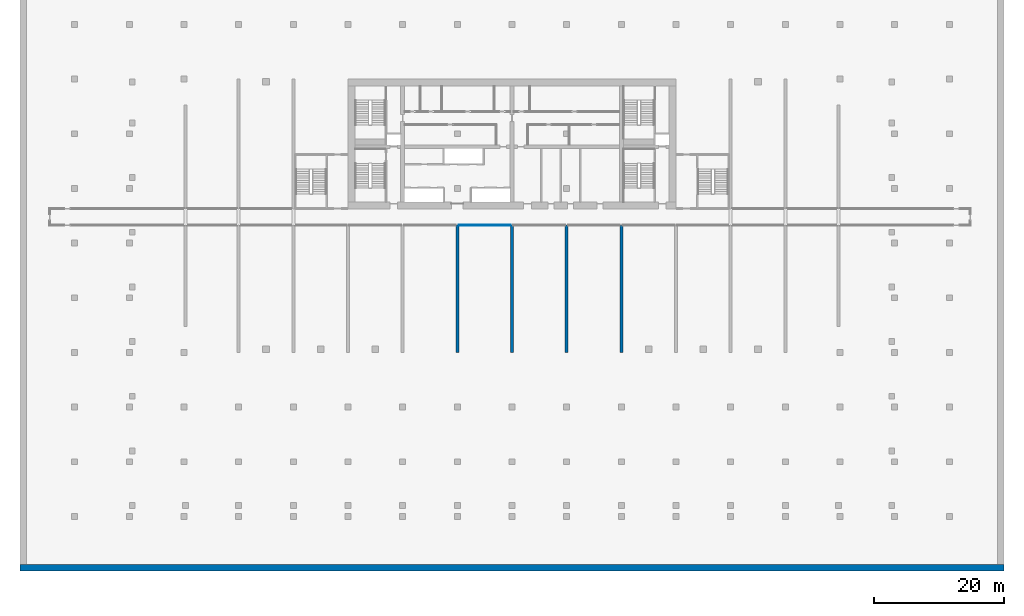
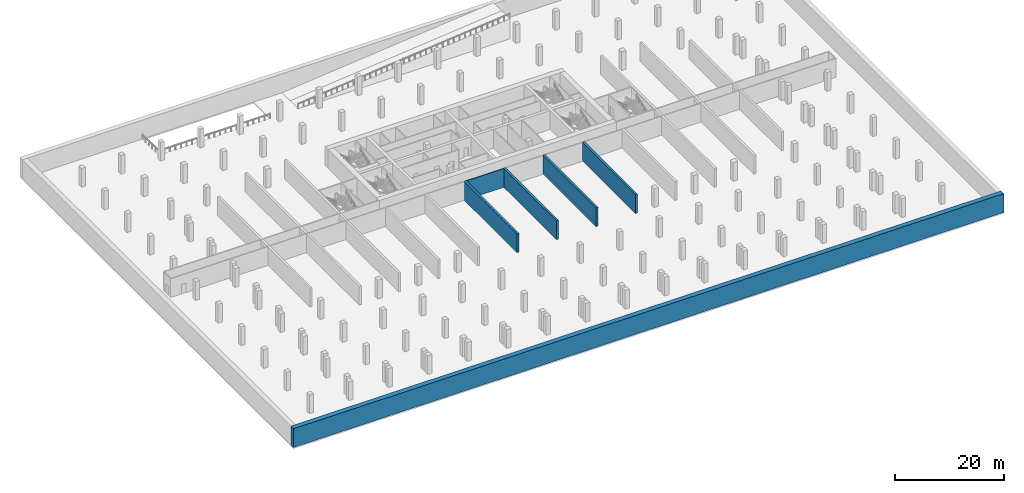
# One storey, part 4 of 13: 6 walls.
"""IFC4 building model written with IfcOpenShell, lengths in metres."""

from ifc_helpers import new_model, si_unit, direction, frame, frame_2d, origin, place, context, subcontext, project, spatial, rectangle, extrude, source, transform, mapped, material, layer, layer_set, type_object, element, save


model = new_model("IFC4")

# Units and contexts
model_context = context("Model", 3, precision=1e-05, world=origin(), true_north=direction((0.0, 1.0)))
body_context = subcontext(model_context, "Body", "Model", "MODEL_VIEW")
ifc_project = project(units=[si_unit("LENGTHUNIT", "METRE"), si_unit("AREAUNIT", "SQUARE_METRE"), si_unit("VOLUMEUNIT", "CUBIC_METRE"), si_unit("PLANEANGLEUNIT", "RADIAN"), si_unit("MASSUNIT", "GRAM", prefix="KILO")], contexts=[model_context])

# Site, building, storey
site_placement = place(None, origin())
site = spatial("IfcSite", under=ifc_project, at=site_placement, CompositionType="ELEMENT")
building_placement = place(site_placement, origin())
building = spatial("IfcBuilding", under=site, at=building_placement, Name="Vanashikhar Sky Hotel", CompositionType="ELEMENT")
storey_placement = place(building_placement, frame((0.0, 0.0, -9.0)))
storey = spatial("IfcBuildingStorey", under=building, at=storey_placement, Name="B2", CompositionType="ELEMENT", Elevation=-9.0)

# Walls
ifc_material_1 = material(Name="Concrete M50", Category="concrete")
ifc_layer_1 = layer(ifc_material_1, 1.0)
ifc_layer_set_1 = layer_set([ifc_layer_1], Name="RC retaining wall 1000 Concrete M50")
wall_type_1 = type_object("IfcWallType", Name="RC retaining wall 1000 Concrete M50", PredefinedType="SHEAR", material=ifc_layer_set_1)
shared_shape_1 = source(origin(), body_context, "Body", "SweptSolid", [
    extrude(rectangle(XDim=151.199951171875, YDim=1.0, at=frame_2d((75.60009765625, 0.0))), origin(), (0.0, 0.0, 1.0), 4.219970703125),
])
wall_1_placement = place(storey_placement, frame((-25.199951171875, -33.10009765625, 0.0), z_axis=(0.0, 0.0, 1.0), x_axis=(1.0, 0.0, 0.0)))
element("IfcWall", 1, at=wall_1_placement, inside=storey, type_object=wall_type_1, Name="RW-B2-S", PredefinedType="SHEAR", context=body_context, shape_type="MappedRepresentation", body=[
    mapped(shared_shape_1, transform((0.0, 0.0, 0.0), scale=1.0)),
])
ifc_material_2 = material(Name="Concrete M80", Category="concrete")
ifc_layer_2 = layer(ifc_material_2, 0.449951171875)
ifc_layer_set_2 = layer_set([ifc_layer_2], Name="RC shear wall 450 Concrete M80")
wall_type_2 = type_object("IfcWallType", Name="RC shear wall 450 Concrete M80", PredefinedType="SHEAR", material=ifc_layer_set_2)
shared_shape_2 = source(origin(), body_context, "Body", "SweptSolid", [
    extrude(rectangle(XDim=19.60009765625, YDim=0.449951171875, at=frame_2d((9.800048828125, 0.0))), origin(), (0.0, 0.0, 1.0), 4.219970703125),
])
for number, where, z_axis, x_axis, name in (
    (2, (42.0, 0.0, 0.0), (0.0, 0.0, 1.0), (0.0, 1.0, 0.0), "CW-B2-XW06-1"),
    (3, (50.39990234375, 0.0, 0.0), (0.0, 0.0, 1.0), (0.0, 1.0, 0.0), "CW-B2-XW07-1"),
    (4, (58.800048828125, 0.0, 0.0), (0.0, 0.0, 1.0), (0.0, 1.0, 0.0), "CW-B2-XW08-1"),
    (5, (67.199951171875, 0.0, 0.0), (0.0, 0.0, 1.0), (0.0, 1.0, 0.0), "CW-B2-XW09-1"),
):
    element("IfcWall", number, at=place(storey_placement, frame(where, z_axis=z_axis, x_axis=x_axis)), inside=storey, type_object=wall_type_2, Name=name, PredefinedType="SHEAR", context=body_context, shape_type="MappedRepresentation", body=[
        mapped(shared_shape_2, transform((0.0, 0.0, 0.0), scale=1.0)),
    ])
ifc_material_3 = material(Name="Concrete M30", Category="concrete")
ifc_layer_3 = layer(ifc_material_3, 0.14990234375)
ifc_layer_set_3 = layer_set([ifc_layer_3], Name="Car park partition 150 mm")
wall_type_3 = type_object("IfcWallType", Name="Car park partition 150 mm", PredefinedType="PARTITIONING", material=ifc_layer_set_3)
shared_shape_3 = source(origin(), body_context, "Body", "SweptSolid", [
    extrude(rectangle(XDim=7.949951171875, YDim=0.14990234375, at=frame_2d((3.97509765625, 0.0))), origin(), (0.0, 0.0, 1.0), 4.219970703125),
])
wall_2_placement = place(storey_placement, frame((42.22509765625, 19.52490234375, 0.0), z_axis=(0.0, 0.0, 1.0), x_axis=(1.0, 0.0, 0.0)))
element("IfcWall", 6, at=wall_2_placement, inside=storey, type_object=wall_type_3, Name="Car park partition", PredefinedType="PARTITIONING", context=body_context, shape_type="MappedRepresentation", body=[
    mapped(shared_shape_3, transform((0.0, 0.0, 0.0), scale=1.0)),
])

save(model, "model.ifc")
